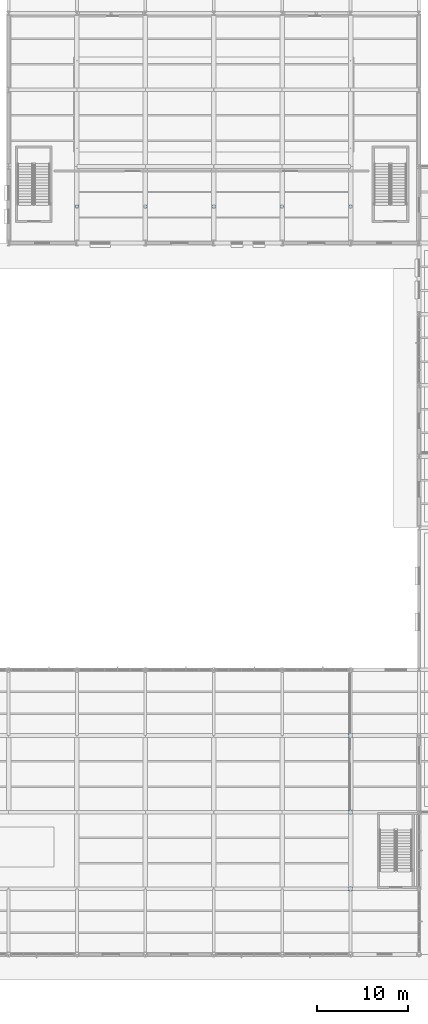
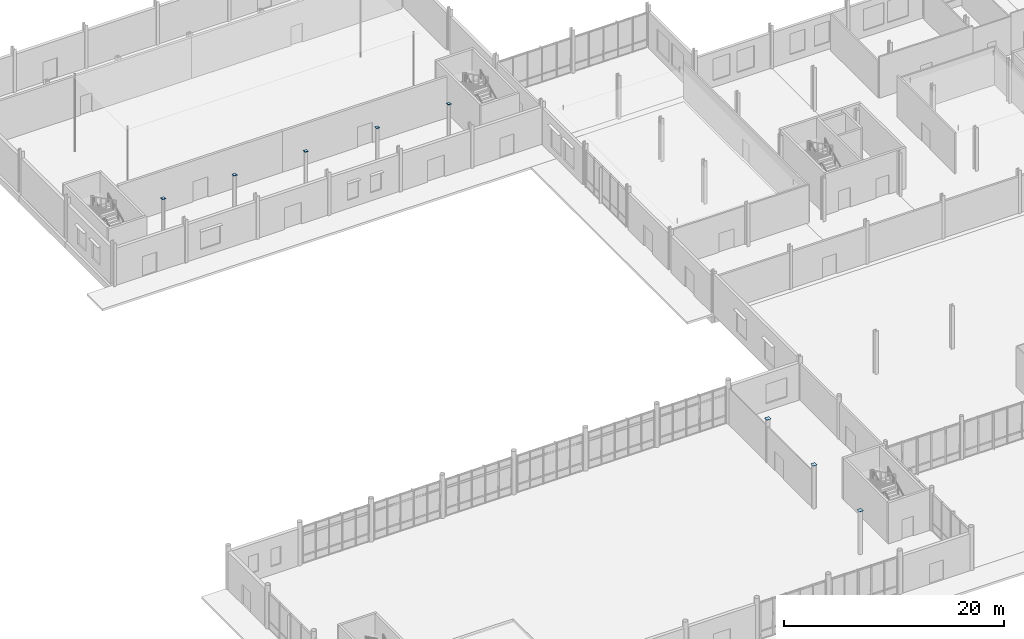
# One storey, part 50 of 82: 8 plates.
"""IFC4 building model written with IfcOpenShell, lengths in metres."""

from ifc_helpers import new_model, si_unit, direction, frame, origin, origin_2d, place, context, subcontext, project, spatial, rectangle, extrude, material, layer, layer_set, type_object, element, save


model = new_model("IFC4")

# Units and contexts
model_context = context("Model", 3, precision=1e-05, world=origin(), true_north=direction((0.0, 1.0)))
body_context = subcontext(model_context, "Body", "Model", "MODEL_VIEW")
ifc_project = project(units=[si_unit("LENGTHUNIT", "METRE"), si_unit("AREAUNIT", "SQUARE_METRE"), si_unit("VOLUMEUNIT", "CUBIC_METRE"), si_unit("PLANEANGLEUNIT", "RADIAN"), si_unit("MASSUNIT", "GRAM", prefix="KILO")], contexts=[model_context])

# Site, building, storey
site_placement = place(None, origin())
site = spatial("IfcSite", under=ifc_project, at=site_placement, CompositionType="ELEMENT")
building_placement = place(site_placement, origin())
building = spatial("IfcBuilding", under=site, at=building_placement, Name="Yukiwa Park Conservatory and Herbarium", CompositionType="ELEMENT")
storey_placement = place(building_placement, origin())
storey = spatial("IfcBuildingStorey", under=building, at=storey_placement, Name="L00", CompositionType="ELEMENT", Elevation=0.0)

# Plates
ifc_material = material(Name="Steel Q355D", Category="steel")
ifc_layer = layer(ifc_material, 0.02392578125)
ifc_layer_set = layer_set([ifc_layer], Name="Steel Q355D")
plate_type = type_object("IfcPlateType", Name="PL-CAP-24-INT", PredefinedType="USERDEFINED", material=ifc_layer_set)
for number, where, z_axis, x_axis, name in (
    (1, (52.5, 7.199951171875, 4.77587890625), (0.0, 0.0, 1.0), (1.0, 0.0, 0.0), "Hollow section end cap plate CAP-COL-L00-V1-X525-Y72"),
    (2, (52.5, 15.60009765625, 4.77587890625), (0.0, 0.0, 1.0), (1.0, 0.0, 0.0), "Hollow section end cap plate CAP-COL-L00-V1-X525-Y156"),
    (3, (52.5, 24.0, 4.77587890625), (0.0, 0.0, 1.0), (1.0, 0.0, 0.0), "Hollow section end cap plate CAP-COL-L00-V1-X525-Y240"),
):
    element("IfcPlate", number, at=place(storey_placement, frame(where, z_axis=z_axis, x_axis=x_axis)), inside=storey, type_object=plate_type, Name=name, ObjectType="END CAP PLATE", PredefinedType="USERDEFINED", context=body_context, shape_type="SweptSolid", body=[
        extrude(rectangle(XDim=0.43408203125, YDim=0.43408203125, at=origin_2d()), origin(), (0.0, 0.0, 1.0), 0.024169921875),
    ])
for number, where, z_axis, x_axis, name in (
    (4, (22.5, 82.0, 4.56005859375), (0.0, 0.0, 1.0), (1.0, 0.0, 0.0), "Hollow section end cap plate CAP-AUDG-1"),
    (5, (30.0, 82.0, 4.56005859375), (0.0, 0.0, 1.0), (1.0, 0.0, 0.0), "Hollow section end cap plate CAP-AUDG-2"),
    (6, (37.5, 82.0, 4.56005859375), (0.0, 0.0, 1.0), (1.0, 0.0, 0.0), "Hollow section end cap plate CAP-AUDG-3"),
    (7, (45.0, 82.0, 4.56005859375), (0.0, 0.0, 1.0), (1.0, 0.0, 0.0), "Hollow section end cap plate CAP-AUDG-4"),
    (8, (52.5, 82.0, 4.56005859375), (0.0, 0.0, 1.0), (1.0, 0.0, 0.0), "Hollow section end cap plate CAP-AUDG-5"),
):
    element("IfcPlate", number, at=place(storey_placement, frame(where, z_axis=z_axis, x_axis=x_axis)), inside=storey, type_object=plate_type, Name=name, ObjectType="END CAP PLATE", PredefinedType="USERDEFINED", context=body_context, shape_type="SweptSolid", body=[
        extrude(rectangle(XDim=0.3330078125, YDim=0.3330078125, at=origin_2d()), origin(), (0.0, 0.0, 1.0), 0.02392578125),
    ])

save(model, "model.ifc")
